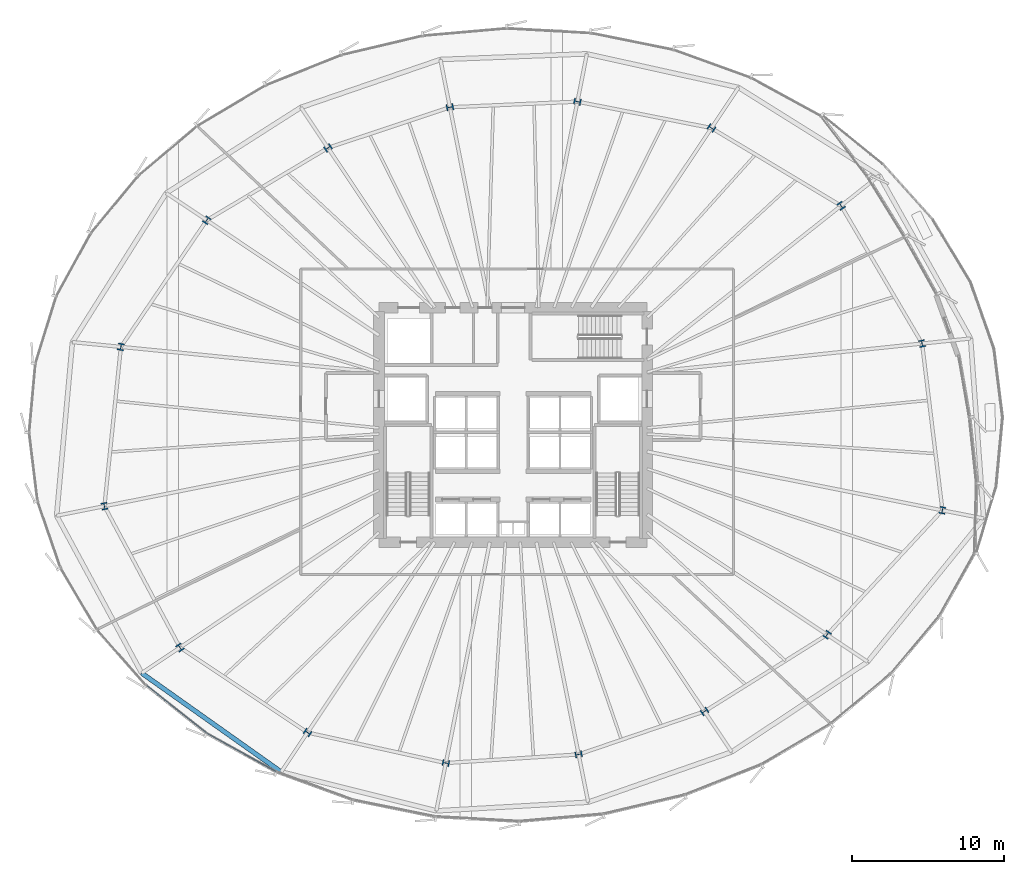
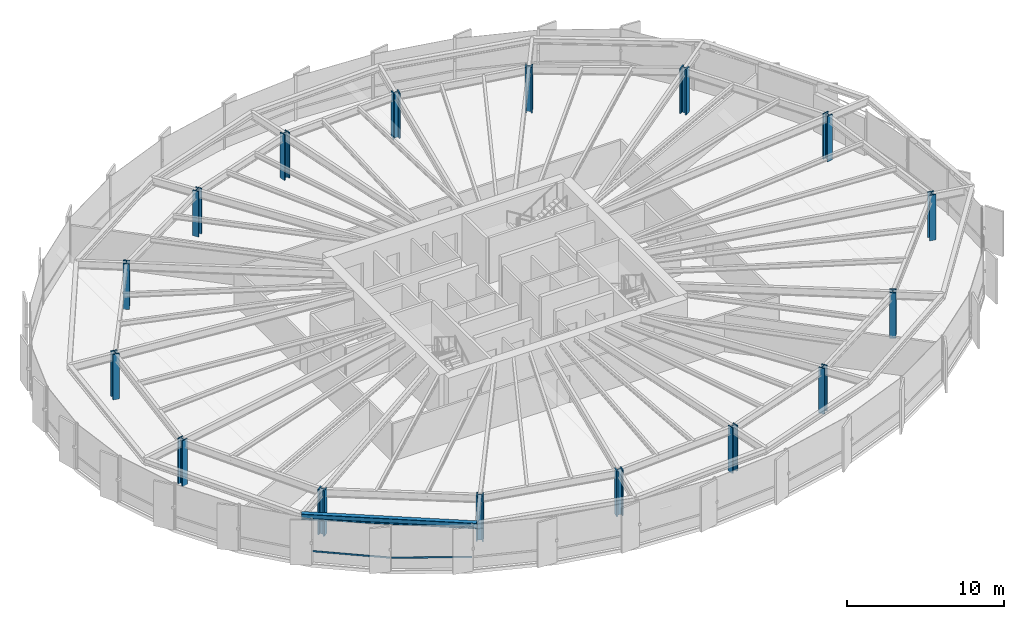
# One storey, part 1 of 39: 16 columns, 2 members, 1 beam, 1 element without a shape of its own.
"""IFC4 building model written with IfcOpenShell, lengths in metres."""

import ifcopenshell
import ifcopenshell.guid

model = None  # the IFC model being written
_history = None  # IfcOwnerHistory: only IFC2X3 demands one
_inside = {}  # id of a spatial element -> (the spatial element, [elements in it])
_under = {}  # id of a project, library or spatial element -> (it, [spatial elements below it])
_declared = {}  # id of a project -> (the project, [libraries it declares])
_typed = {}  # id of a type object -> (the type object, [elements of that type])
_made_of = {}  # id of a material, layer set ... -> (it, [elements and type objects made of it])


def new_model(schema):
    """Start an empty IFC model of exactly this schema.

    Asked for "IFC4X3", IfcOpenShell would pick the latest addendum, in which some entities
    have other attributes; the version numbers below select the first issue.
    IFC2X3 requires an IfcOwnerHistory on every rooted entity: one is made here for all.
    """
    global model, _history
    if schema == "IFC4X3":
        model = ifcopenshell.file(schema_version=(4, 3, 0, 0))
    else:
        model = ifcopenshell.file(schema=schema)
    _inside.clear()
    _under.clear()
    _declared.clear()
    _typed.clear()
    _made_of.clear()
    _history = None
    if model.schema == "IFC2X3":
        org = make("IfcOrganization", Name="unknown")
        user = make(
            "IfcPersonAndOrganization",
            ThePerson=make("IfcPerson", FamilyName="unknown"),
            TheOrganization=org,
        )
        app = make(
            "IfcApplication",
            ApplicationDeveloper=org,
            Version="unknown",
            ApplicationFullName="unknown",
            ApplicationIdentifier="unknown",
        )
        _history = make(
            "IfcOwnerHistory",
            OwningUser=user,
            OwningApplication=app,
            ChangeAction="ADDED",
            CreationDate=0,
        )
    return model


def make(cls, **values):
    """One entity of the class cls with the attributes given. An attribute that is None is left unset."""
    return model.create_entity(
        cls, **{name: value for name, value in values.items() if value is not None}
    )


def rooted(cls, **values):
    """An entity with a GlobalId (a new one), such as an element, a storey or a relation."""
    return make(cls, GlobalId=ifcopenshell.guid.new(), OwnerHistory=_history, **values)


def si_unit(unit_type, name, prefix=None):
    """IfcSIUnit, for example si_unit("LENGTHUNIT", "METRE", prefix="MILLI")."""
    return make("IfcSIUnit", UnitType=unit_type, Prefix=prefix, Name=name)


def assignment(units):
    """IfcUnitAssignment: the units of a project."""
    return None if units is None else make("IfcUnitAssignment", Units=units)


def point(xyz):
    """IfcCartesianPoint."""
    return None if xyz is None else make("IfcCartesianPoint", Coordinates=xyz)


def direction(xyz):
    """IfcDirection."""
    return None if xyz is None else make("IfcDirection", DirectionRatios=xyz)


def frame(location, z_axis=None, x_axis=None):
    """IfcAxis2Placement3D, a coordinate frame: its origin and axes. An axis left out is left unset."""
    return make(
        "IfcAxis2Placement3D",
        Location=point(location),
        Axis=direction(z_axis),
        RefDirection=direction(x_axis),
    )


def frame_2d(location, x_axis=None):
    """IfcAxis2Placement2D, a coordinate frame in the plane: its origin and x axis."""
    return make(
        "IfcAxis2Placement2D", Location=point(location), RefDirection=direction(x_axis)
    )


def origin():
    """The frame at (0, 0, 0) with its axes left unset."""
    return frame((0.0, 0.0, 0.0))


def origin_2d():
    """The frame at (0, 0) in the plane with its x axis left unset."""
    return frame_2d((0.0, 0.0))


def place(relative_to, where):
    """IfcLocalPlacement: puts the frame where relative to a parent placement (None: the world)."""
    return make(
        "IfcLocalPlacement", PlacementRelTo=relative_to, RelativePlacement=where
    )


def context(
    kind, dimensions, precision=None, world=None, true_north=None, identifier=None
):
    """IfcGeometricRepresentationContext, for example the 3D "Model" context."""
    return make(
        "IfcGeometricRepresentationContext",
        ContextIdentifier=identifier,
        ContextType=kind,
        CoordinateSpaceDimension=dimensions,
        Precision=precision,
        WorldCoordinateSystem=world,
        TrueNorth=true_north,
    )


def subcontext(parent, identifier, kind, view, scale=None):
    """IfcGeometricRepresentationSubContext, for example "Body" below "Model"."""
    return make(
        "IfcGeometricRepresentationSubContext",
        ContextIdentifier=identifier,
        ContextType=kind,
        ParentContext=parent,
        TargetScale=scale,
        TargetView=view,
    )


def project(units=None, contexts=None):
    """IfcProject with its units and contexts."""
    return rooted(
        "IfcProject",
        Name="project",
        RepresentationContexts=contexts,
        UnitsInContext=assignment(units),
    )


def spatial(cls, under=None, at=None, **own):
    """A site, building, storey or space (cls), placed at a placement, below another one or the project."""
    s = rooted(cls, ObjectPlacement=at, **own)
    if under is not None:
        _under.setdefault(under.id(), (under, []))[1].append(s)
    return s


def profile(cls, at=None, kind="AREA", **sizes):
    """A parametric profile (cls). Its sizes go by their IFC names, for example OverallWidth=200.0."""
    return make(cls, ProfileType=kind, Position=at, **sizes)


def hollow_rectangle(**sizes):
    """IfcRectangleHollowProfileDef."""
    return profile("IfcRectangleHollowProfileDef", **sizes)


def i_section(**sizes):
    """IfcIShapeProfileDef."""
    return profile("IfcIShapeProfileDef", **sizes)


def extrude(swept, where, along, depth):
    """IfcExtrudedAreaSolid: the profile swept, set in the frame where, extruded along a direction by depth."""
    return make(
        "IfcExtrudedAreaSolid",
        SweptArea=swept,
        Position=where,
        ExtrudedDirection=direction(along),
        Depth=depth,
    )


def shape(context_of_items, identifier, shape_type, items):
    """IfcShapeRepresentation: the items that make up one representation, for example the "Body"."""
    return make(
        "IfcShapeRepresentation",
        ContextOfItems=context_of_items,
        RepresentationIdentifier=identifier,
        RepresentationType=shape_type,
        Items=items,
    )


def source(mapping_origin, context_of_items, identifier, shape_type, items):
    """IfcRepresentationMap: a shape defined once, which mapped items show again and again."""
    return make(
        "IfcRepresentationMap",
        MappingOrigin=mapping_origin,
        MappedRepresentation=shape(context_of_items, identifier, shape_type, items),
    )


def transform(
    local_origin,
    x_axis=None,
    y_axis=None,
    z_axis=None,
    scale=None,
    scale2=None,
    scale3=None,
    uniform=True,
):
    """IfcCartesianTransformationOperator3D, or its non-uniform kind. x_axis, y_axis, z_axis: its Axis1, 2, 3."""
    if uniform:
        return make(
            "IfcCartesianTransformationOperator3D",
            Axis1=direction(x_axis),
            Axis2=direction(y_axis),
            LocalOrigin=point(local_origin),
            Scale=scale,
            Axis3=direction(z_axis),
        )
    return make(
        "IfcCartesianTransformationOperator3DnonUniform",
        Axis1=direction(x_axis),
        Axis2=direction(y_axis),
        LocalOrigin=point(local_origin),
        Scale=scale,
        Axis3=direction(z_axis),
        Scale2=scale2,
        Scale3=scale3,
    )


def mapped(mapping_source, mapping_target):
    """IfcMappedItem: shows the shape of a source again, moved by a transform."""
    return make(
        "IfcMappedItem", MappingSource=mapping_source, MappingTarget=mapping_target
    )


def material(Name=None, Category=None):
    """IfcMaterial."""
    return make("IfcMaterial", Name=Name, Category=Category)


def layer(
    of_material, thickness, ventilated=None, Name=None, Category=None, Priority=None
):
    """IfcMaterialLayer: one layer of a wall or slab, of a material (None: an air gap)."""
    return make(
        "IfcMaterialLayer",
        Material=of_material,
        LayerThickness=thickness,
        IsVentilated=ventilated,
        Name=Name,
        Category=Category,
        Priority=Priority,
    )


def layer_set(layers, Name=None):
    """IfcMaterialLayerSet."""
    return make("IfcMaterialLayerSet", MaterialLayers=layers, LayerSetName=Name)


def material_profile(
    of_material, cross_section, Name=None, Category=None, Priority=None
):
    """IfcMaterialProfile: a cross section and its material."""
    return make(
        "IfcMaterialProfile",
        Name=Name,
        Material=of_material,
        Profile=cross_section,
        Priority=Priority,
        Category=Category,
    )


def profile_set(profiles, Name=None, composite=None):
    """IfcMaterialProfileSet."""
    return make(
        "IfcMaterialProfileSet",
        Name=Name,
        MaterialProfiles=profiles,
        CompositeProfile=composite,
    )


def made_of(thing, what):
    """Note that an element or type object is made of a material, layer set ...; save() writes the relation."""
    if what is not None:
        _made_of.setdefault(what.id(), (what, []))[1].append(thing)
    return thing


def type_object(cls, material=None, **own):
    """A type object (cls), such as IfcWallType, which elements share."""
    return made_of(rooted(cls, **own), material)


def element(
    cls,
    number,
    at=None,
    inside=None,
    cuts=None,
    type_object=None,
    material=None,
    context=None,
    identifier="Body",
    shape_type=None,
    held_by="IfcProductDefinitionShape",
    body=None,
    shapes=None,
    **own,
):
    """One element of the class cls, such as IfcWall. Its Tag is "e" and its number.

    at: its placement. inside: the storey or other place that contains it. cuts: it is an
    opening in that element (IfcRelVoidsElement). A single representation is given by context,
    identifier, shape_type and body (its items); several are given by shapes. held_by: the class
    of the entity that holds the representations. save() writes the other relations.
    """
    e = rooted(cls, Tag="e%d" % number, ObjectPlacement=at, **own)
    if body is not None:
        shapes = [shape(context, identifier, shape_type, body)]
    if shapes is not None:
        e.Representation = make(held_by, Representations=shapes)
    if inside is not None:
        _inside.setdefault(inside.id(), (inside, []))[1].append(e)
    if cuts is not None:
        rooted(
            "IfcRelVoidsElement", RelatingBuildingElement=cuts, RelatedOpeningElement=e
        )
    if type_object is not None:
        _typed.setdefault(type_object.id(), (type_object, []))[1].append(e)
    return made_of(e, material)


def aggregate(whole, parts):
    """IfcRelAggregates: a whole, such as a stair, and the parts it consists of."""
    return rooted("IfcRelAggregates", RelatingObject=whole, RelatedObjects=parts)


def save(model, path):
    """Write the relations noted so far, then the file.

    IfcRelAggregates (storeys below a building ...), IfcRelContainedInSpatialStructure (elements
    in a storey), IfcRelDefinesByType, IfcRelAssociatesMaterial and IfcRelDeclares: one each for
    every whole, place, type object, material and project.
    """
    for whole, parts in _under.values():
        aggregate(whole, parts)
    for where, things in _inside.values():
        rooted(
            "IfcRelContainedInSpatialStructure",
            RelatedElements=things,
            RelatingStructure=where,
        )
    for kind, things in _typed.values():
        rooted("IfcRelDefinesByType", RelatedObjects=things, RelatingType=kind)
    for what, things in _made_of.values():
        rooted("IfcRelAssociatesMaterial", RelatedObjects=things, RelatingMaterial=what)
    for by, libraries in _declared.values():
        rooted("IfcRelDeclares", RelatingContext=by, RelatedDefinitions=libraries)
    model.write(path)


model = new_model("IFC4")

# Units and contexts
model_context = context("Model", 3, precision=1e-05, world=origin(), true_north=direction((0.0, 1.0)))
body_context = subcontext(model_context, "Body", "Model", "MODEL_VIEW")
ifc_project = project(units=[si_unit("LENGTHUNIT", "METRE"), si_unit("AREAUNIT", "SQUARE_METRE"), si_unit("VOLUMEUNIT", "CUBIC_METRE"), si_unit("PLANEANGLEUNIT", "RADIAN"), si_unit("MASSUNIT", "GRAM", prefix="KILO"), si_unit("THERMODYNAMICTEMPERATUREUNIT", "KELVIN")], contexts=[model_context])

# Site, building, storey
site_placement = place(None, origin())
site = spatial("IfcSite", under=ifc_project, at=site_placement, CompositionType="ELEMENT")
building_placement = place(site_placement, origin())
building = spatial("IfcBuilding", under=site, at=building_placement, Name="Kethvar Cultural Tower", CompositionType="ELEMENT")
storey_placement = place(building_placement, frame((0.0, 0.0, 33.39990234375)))
storey = spatial("IfcBuildingStorey", under=building, at=storey_placement, Name="L07", CompositionType="ELEMENT", Elevation=33.39990234375)

# Columns
ifc_material_1 = material(Name="Steel S460M", Category="steel")
ifc_material_profile_1 = material_profile(ifc_material_1, i_section(OverallWidth=0.423095703125, OverallDepth=0.468994140625, WebThickness=0.051025390625, FlangeThickness=0.0810546875, FilletRadius=0.014892578125, at=origin_2d()), Name="Steel S460M — HD400x1086")
ifc_profile_set_1 = profile_set([ifc_material_profile_1], Name="Steel S460M — HD400x1086")
column_type = type_object("IfcColumnType", Name="COL-HD1086", PredefinedType="COLUMN", material=ifc_profile_set_1)
shared_shape_1 = source(origin(), body_context, "Body", "SweptSolid", [
    extrude(i_section(OverallWidth=0.423095703125, OverallDepth=0.468994140625, WebThickness=0.051025390625, FlangeThickness=0.0810546875, FilletRadius=0.014892578125, at=origin_2d()), origin(), (0.0, 0.0, 1.0), 3.550048828125),
])
for number, where, z_axis, x_axis, name in (
    (1, (73.65673828125, 33.14208984375, 0.0), (0.0, 0.0, 1.0), (0.980785280403, 0.195090322016, 0.0), "L07 Mega-Column MC-01"),
    (2, (68.33642578125, 42.190185546875, 0.0), (0.0, 0.0, 1.0), (0.831469612303, 0.55557023302, 0.0), "L07 Mega-Column MC-02"),
    (3, (59.824951171875, 47.293212890625, 0.0), (0.0, 0.0, 1.0), (0.55557023302, 0.831469612303, 0.0), "L07 Mega-Column MC-03"),
    (4, (51.022216796875, 49.02587890625, 0.0), (0.0, 0.0, 1.0), (0.195090322016, 0.980785280403, 0.0), "L07 Mega-Column MC-04"),
    (5, (42.651611328125, 48.65576171875, 0.0), (0.0, 0.0, 1.0), (-0.195090322016, 0.980785280403, 0.0), "L07 Mega-Column MC-05"),
    (6, (34.64599609375, 45.98974609375, 0.0), (0.0, 0.0, 1.0), (-0.55557023302, 0.831469612303, 0.0), "L07 Mega-Column MC-06"),
    (7, (26.6845703125, 41.24072265625, 0.0), (0.0, 0.0, 1.0), (-0.831469612303, 0.55557023302, 0.0), "L07 Mega-Column MC-07"),
    (8, (21.047119140625, 32.922607421875, 0.0), (0.0, 0.0, 1.0), (-0.980785280403, 0.195090322016, 0.0), "L07 Mega-Column MC-08"),
    (9, (19.9658203125, 22.46240234375, 0.0), (0.0, 0.0, 1.0), (-0.980785280403, -0.195090322016, 0.0), "L07 Mega-Column MC-09"),
    (10, (24.9248046875, 13.183349609375, 0.0), (0.0, 0.0, 1.0), (-0.831469612303, -0.55557023302, 0.0), "L07 Mega-Column MC-10"),
    (11, (33.302001953125, 7.598876953125, 0.0), (0.0, 0.0, 1.0), (-0.55557023302, -0.831469612303, 0.0), "L07 Mega-Column MC-11"),
    (12, (42.38330078125, 5.59619140625, 0.0), (0.0, 0.0, 1.0), (-0.195090322016, -0.980785280403, 0.0), "L07 Mega-Column MC-12"),
    (13, (51.10400390625, 6.16259765625, 0.0), (0.0, 0.0, 1.0), (0.195090322016, -0.980785280403, 0.0), "L07 Mega-Column MC-13"),
    (14, (59.370361328125, 8.987060546875, 0.0), (0.0, 0.0, 1.0), (0.55557023302, -0.831469612303, 0.0), "L07 Mega-Column MC-14"),
    (15, (67.41845703125, 14.023193359375, 0.0), (0.0, 0.0, 1.0), (0.831469612303, -0.55557023302, 0.0), "L07 Mega-Column MC-15"),
    (16, (74.9912109375, 22.1923828125, 0.0), (0.0, 0.0, 1.0), (0.980785280403, -0.195090322016, 0.0), "L07 Mega-Column MC-16"),
):
    element("IfcColumn", number, at=place(storey_placement, frame(where, z_axis=z_axis, x_axis=x_axis)), inside=storey, type_object=column_type, Name=name, PredefinedType="COLUMN", context=body_context, shape_type="MappedRepresentation", body=[
        mapped(shared_shape_1, transform((0.0, 0.0, 0.0), scale=1.0)),
    ])

# Beam
ifc_material_2 = material(Name="Steel S355J2", Category="steel")
ifc_material_profile_2 = material_profile(ifc_material_2, i_section(OverallWidth=0.300048828125, OverallDepth=0.449951171875, WebThickness=0.013916015625, FlangeThickness=0.02587890625, FilletRadius=0.027099609375, at=origin_2d()), Name="Steel S355J2 — HEB450")
ifc_profile_set_2 = profile_set([ifc_material_profile_2], Name="Steel S355J2 — HEB450")
beam_type = type_object("IfcBeamType", Name="BM-SP450", PredefinedType="SPANDREL", material=ifc_profile_set_2)
shared_shape_2 = source(origin(), body_context, "Body", "SweptSolid", [
    extrude(i_section(OverallWidth=0.300048828125, OverallDepth=0.449951171875, WebThickness=0.013916015625, FlangeThickness=0.02587890625, FilletRadius=0.027099609375, at=origin_2d()), origin(), (0.0, 0.0, 1.0), 11.229248046875),
])
beam_placement = place(storey_placement, frame((22.410888671875, 11.503662109375, 3.322998046875), z_axis=(0.815950126724, -0.578122297355, 0.0), x_axis=(0.578122297355, 0.815950126724, 0.0)))
element("IfcBeam", 17, at=beam_placement, inside=storey, type_object=beam_type, Name="L07 Perimeter Spandrel Beam SP-10", PredefinedType="SPANDREL", context=body_context, shape_type="MappedRepresentation", body=[
    mapped(shared_shape_2, transform((0.0, 0.0, 0.0), scale=1.0)),
])

# Curtain wall, members
ifc_material_3 = material(Name="Aluminium 6063-T6", Category="aluminium")
ifc_layer = layer(ifc_material_3, 0.179931640625, Name="Aluminium 6063-T6", Category="aluminium")
ifc_layer_set = layer_set([ifc_layer], Name="Aluminium 6063-T6 (180 mm)")
curtain_wall_type = type_object("IfcCurtainWallType", Name="CW-SYS-02-Z1", PredefinedType="NOTDEFINED", material=ifc_layer_set)
curtain_wall_placement = place(storey_placement, origin())
curtain_wall = element("IfcCurtainWall", 18, at=curtain_wall_placement, inside=storey, type_object=curtain_wall_type, Name="L07 Curtain Wall Run 05", PredefinedType="NOTDEFINED")
ifc_material_profile_3 = material_profile(ifc_material_3, hollow_rectangle(XDim=0.054931640625, YDim=0.1201171875, WallThickness=0.00390625, at=origin_2d()), Name="Aluminium 6063-T6 — RHS120x55x4")
ifc_profile_set_3 = profile_set([ifc_material_profile_3], Name="Aluminium 6063-T6 — RHS120x55x4")
member_type = type_object("IfcMemberType", Name="CW-SYS-02-Z1-TRN", PredefinedType="USERDEFINED", material=ifc_profile_set_3)
shared_shape_3 = source(origin(), body_context, "Body", "SweptSolid", [
    extrude(hollow_rectangle(XDim=0.054931640625, YDim=0.1201171875, WallThickness=0.00390625, at=origin_2d()), origin(), (0.0, 0.0, 1.0), 4.988525390625),
])
member_1_placement = place(storey_placement, frame((22.75048828125, 10.679931640625, 0.9501953125), z_axis=(0.783231403653, -0.621730301925, 0.0), x_axis=(0.621730301925, 0.783231403653, 0.0)))
member_1 = element("IfcMember", 19, at=member_1_placement, type_object=member_type, Name="CW-L07-R05 Transom 3", ObjectType="TRANSOM", PredefinedType="USERDEFINED", context=body_context, shape_type="MappedRepresentation", body=[
    mapped(shared_shape_3, transform((0.0, 0.0, 0.0), scale=1.0)),
])
shared_shape_4 = source(origin(), body_context, "Body", "SweptSolid", [
    extrude(hollow_rectangle(XDim=0.054931640625, YDim=0.1201171875, WallThickness=0.00390625, at=origin_2d()), origin(), (0.0, 0.0, 1.0), 5.156494140625),
])
member_2_placement = place(storey_placement, frame((26.71875, 7.53759765625, 0.9501953125), z_axis=(0.874973444471, -0.484170911426, 0.0), x_axis=(0.484170911426, 0.874973444471, 0.0)))
member_2 = element("IfcMember", 20, at=member_2_placement, type_object=member_type, Name="CW-L07-R05 Transom 4", ObjectType="TRANSOM", PredefinedType="USERDEFINED", context=body_context, shape_type="MappedRepresentation", body=[
    mapped(shared_shape_4, transform((0.0, 0.0, 0.0), scale=1.0)),
])
aggregate(curtain_wall, [member_1, member_2])

save(model, "model.ifc")
